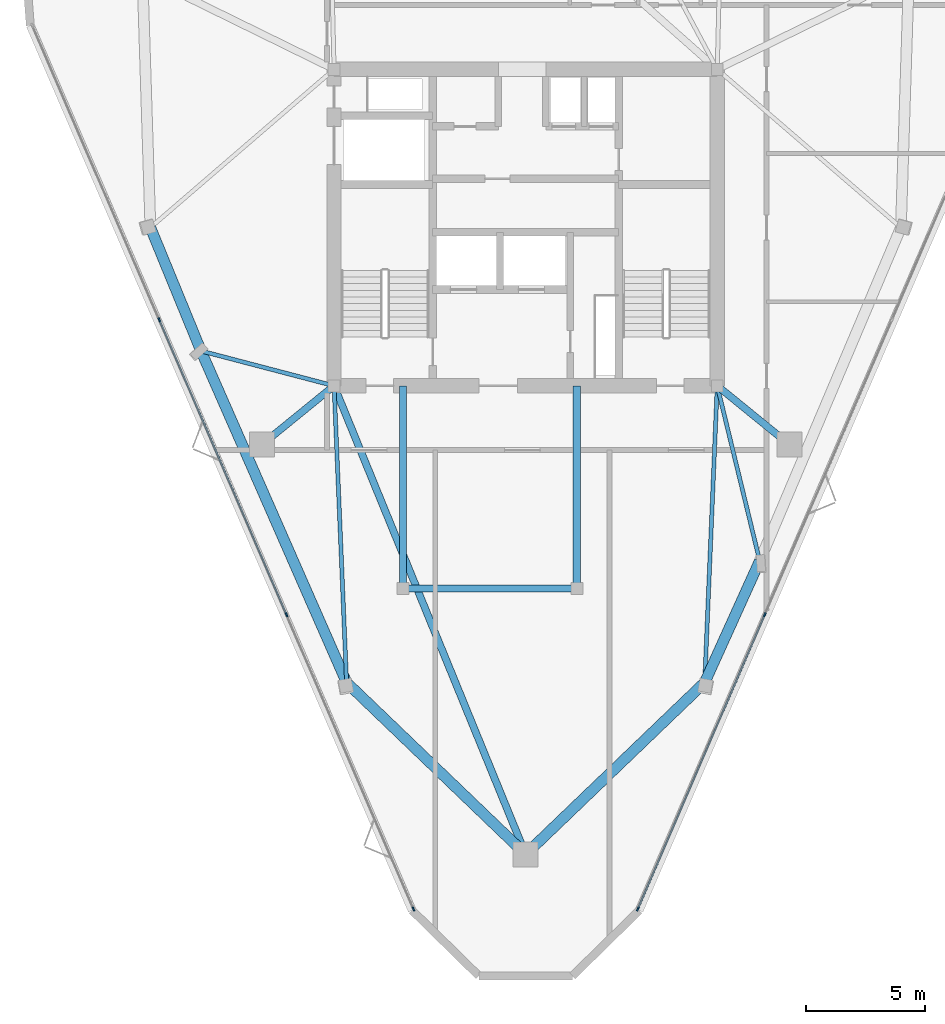
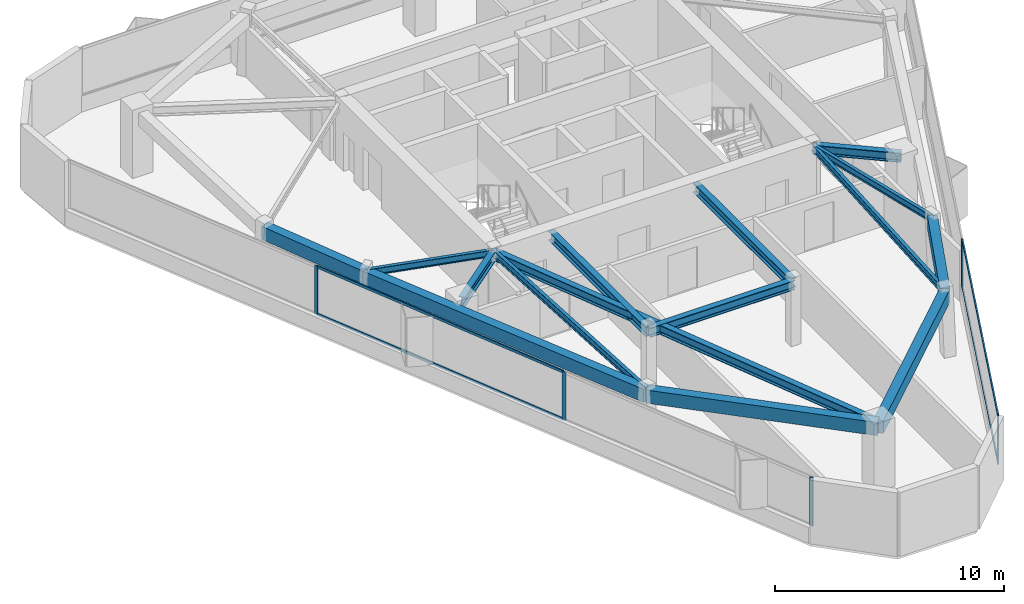
# One storey, part 2 of 9: 15 beams, 9 members, 2 elements without a shape of their own.
"""IFC4 building model written with IfcOpenShell, lengths in metres."""

from ifc_helpers import new_model, si_unit, direction, frame, origin, origin_2d, place, context, subcontext, project, spatial, rectangle, i_section, extrude, material, layer, layer_set, material_profile, profile_set, type_object, element, aggregate, save


model = new_model("IFC4")

# Units and contexts
model_context = context("Model", 3, precision=1e-05, world=origin(), true_north=direction((0.0, 1.0)))
body_context = subcontext(model_context, "Body", "Model", "MODEL_VIEW")
ifc_project = project(units=[si_unit("LENGTHUNIT", "METRE"), si_unit("AREAUNIT", "SQUARE_METRE"), si_unit("VOLUMEUNIT", "CUBIC_METRE"), si_unit("PLANEANGLEUNIT", "RADIAN"), si_unit("MASSUNIT", "GRAM", prefix="KILO")], contexts=[model_context])

# Site, building, storey
site_placement = place(None, origin())
site = spatial("IfcSite", under=ifc_project, at=site_placement, CompositionType="ELEMENT")
building_placement = place(site_placement, origin())
building = spatial("IfcBuilding", under=site, at=building_placement, Name="Talyreon Biosciences Tower", CompositionType="ELEMENT")
storey_placement = place(building_placement, frame((0.0, 0.0, 294.75)))
storey = spatial("IfcBuildingStorey", under=building, at=storey_placement, Name="L78", CompositionType="ELEMENT", Elevation=294.75)

# Curtain wall, members
ifc_material_1 = material(Name="Thermally broken aluminium and low-E glazing", Category="aluminium")
ifc_layer = layer(ifc_material_1, 0.175048828125)
ifc_layer_set = layer_set([ifc_layer], Name="Thermally broken aluminium and low-E glazing")
curtain_wall_type = type_object("IfcCurtainWallType", Name="CurtainWall_Zone5CompLab", PredefinedType="NOTDEFINED", material=ifc_layer_set)
curtain_wall_1_placement = place(storey_placement, origin())
curtain_wall_1 = element("IfcCurtainWall", 1, at=curtain_wall_1_placement, inside=storey, type_object=curtain_wall_type, Name="L78 Unitised Curtain Wall FCW-L78-00", PredefinedType="NOTDEFINED")
ifc_material_2 = material(Name="Anodised thermally broken aluminium", Category="aluminium")
ifc_material_profile_1 = material_profile(ifc_material_2, rectangle(XDim=0.06494140625, YDim=0.179931640625, at=origin_2d()), Name="ALUM MULLION 65x180")
ifc_profile_set_1 = profile_set([ifc_material_profile_1], Name="Anodised thermally broken aluminium")
member_type_1 = type_object("IfcMemberType", Name="CWMullion_65x180", PredefinedType="MULLION", material=ifc_profile_set_1)
member_1_placement = place(storey_placement, frame((61.2861328125, 39.369140625, 0.81005859375), z_axis=(0.0, 0.0, 1.0), x_axis=(-0.918187314575, -0.396146507437, 0.0)))
member_1 = element("IfcMember", 2, at=member_1_placement, type_object=member_type_1, Name="CW6 mullion 1", PredefinedType="MULLION", context=body_context, shape_type="SweptSolid", body=[
    extrude(rectangle(XDim=0.06494140625, YDim=0.179931640625, at=origin_2d()), origin(), (0.0, 0.0, 1.0), 2.58984375),
])
member_2_placement = place(storey_placement, frame((55.951416015625, 51.733642578125, 0.81005859375), z_axis=(0.0, 0.0, 1.0), x_axis=(-0.918187314575, -0.396146507437, 0.0)))
member_2 = element("IfcMember", 3, at=member_2_placement, type_object=member_type_1, Name="CW6 mullion 2", PredefinedType="MULLION", context=body_context, shape_type="SweptSolid", body=[
    extrude(rectangle(XDim=0.06494140625, YDim=0.179931640625, at=origin_2d()), origin(), (0.0, 0.0, 1.0), 2.58984375),
])
member_3_placement = place(storey_placement, frame((50.60400390625, 64.1279296875, 0.81005859375), z_axis=(0.0, 0.0, 1.0), x_axis=(-0.918187314575, -0.396146507437, 0.0)))
member_3 = element("IfcMember", 4, at=member_3_placement, type_object=member_type_1, Name="CW6 mullion 3", PredefinedType="MULLION", context=body_context, shape_type="SweptSolid", body=[
    extrude(rectangle(XDim=0.06494140625, YDim=0.179931640625, at=origin_2d()), origin(), (0.0, 0.0, 1.0), 2.58984375),
])

curtain_wall_2_placement = place(storey_placement, origin())
curtain_wall_2 = element("IfcCurtainWall", 5, at=curtain_wall_2_placement, inside=storey, type_object=curtain_wall_type, Name="L78 Unitised Curtain Wall FCW-L78-08", PredefinedType="NOTDEFINED")
member_4_placement = place(storey_placement, frame((76.048583984375, 51.733642578125, 0.81005859375), z_axis=(0.0, 0.0, 1.0), x_axis=(0.918187314575, -0.396146507437, 0.0)))
member_4 = element("IfcMember", 6, at=member_4_placement, type_object=member_type_1, Name="CW6 mullion 3", PredefinedType="MULLION", context=body_context, shape_type="SweptSolid", body=[
    extrude(rectangle(XDim=0.06494140625, YDim=0.179931640625, at=origin_2d()), origin(), (0.0, 0.0, 1.0), 2.58984375),
])
member_5_placement = place(storey_placement, frame((70.7138671875, 39.369140625, 0.81005859375), z_axis=(0.0, 0.0, 1.0), x_axis=(0.918187314575, -0.396146507437, 0.0)))
member_5 = element("IfcMember", 7, at=member_5_placement, type_object=member_type_1, Name="CW6 mullion 4", PredefinedType="MULLION", context=body_context, shape_type="SweptSolid", body=[
    extrude(rectangle(XDim=0.06494140625, YDim=0.179931640625, at=origin_2d()), origin(), (0.0, 0.0, 1.0), 2.58984375),
])

# Member
ifc_material_profile_2 = material_profile(ifc_material_2, rectangle(XDim=0.06494140625, YDim=0.139892578125, at=origin_2d()), Name="ALUM TRANSOM 65x140")
ifc_profile_set_2 = profile_set([ifc_material_profile_2], Name="Anodised thermally broken aluminium")
member_type_2 = type_object("IfcMemberType", Name="CWTransom_65x140", PredefinedType="USERDEFINED", material=ifc_profile_set_2)
member_6_placement = place(storey_placement, frame((55.9384765625, 51.763427734375, 0.842529296875), z_axis=(-0.396140083642, 0.918190086056, 0.0), x_axis=(-0.918190086056, -0.396140083642, 0.0)))
member_6 = element("IfcMember", 8, at=member_6_placement, type_object=member_type_2, Name="CW6 transom 2.1", ObjectType="TRANSOM", PredefinedType="USERDEFINED", context=body_context, shape_type="SweptSolid", body=[
    extrude(rectangle(XDim=0.06494140625, YDim=0.139892578125, at=origin_2d()), origin(), (0.0, 0.0, 1.0), 13.433349609375),
])

member_7_placement = place(storey_placement, frame((55.9384765625, 51.763427734375, 3.367431640625), z_axis=(-0.396140083642, 0.918190086056, 0.0), x_axis=(-0.918190086056, -0.396140083642, 0.0)))
member_7 = element("IfcMember", 9, at=member_7_placement, type_object=member_type_2, Name="CW6 transom 2.2", ObjectType="TRANSOM", PredefinedType="USERDEFINED", context=body_context, shape_type="SweptSolid", body=[
    extrude(rectangle(XDim=0.06494140625, YDim=0.139892578125, at=origin_2d()), origin(), (0.0, 0.0, 1.0), 13.433349609375),
])

aggregate(curtain_wall_1, [member_1, member_2, member_3, member_6, member_7])

member_8_placement = place(storey_placement, frame((76.03564453125, 51.70361328125, 0.842529296875), z_axis=(-0.39614983923, -0.918185877085, 0.0), x_axis=(0.918185877085, -0.39614983923, 0.0)))
member_8 = element("IfcMember", 10, at=member_8_placement, type_object=member_type_2, Name="CW6 transom 3.1", ObjectType="TRANSOM", PredefinedType="USERDEFINED", context=body_context, shape_type="SweptSolid", body=[
    extrude(rectangle(XDim=0.06494140625, YDim=0.139892578125, at=origin_2d()), origin(), (0.0, 0.0, 1.0), 13.401123046875),
])

member_9_placement = place(storey_placement, frame((76.03564453125, 51.70361328125, 3.367431640625), z_axis=(-0.39614983923, -0.918185877085, 0.0), x_axis=(0.918185877085, -0.39614983923, 0.0)))
member_9 = element("IfcMember", 11, at=member_9_placement, type_object=member_type_2, Name="CW6 transom 3.2", ObjectType="TRANSOM", PredefinedType="USERDEFINED", context=body_context, shape_type="SweptSolid", body=[
    extrude(rectangle(XDim=0.06494140625, YDim=0.139892578125, at=origin_2d()), origin(), (0.0, 0.0, 1.0), 13.401123046875),
])

aggregate(curtain_wall_2, [member_4, member_5, member_8, member_9])

# Beams
ifc_material_3 = material(Name="Precast concrete C45/55", Category="concrete")
ifc_material_profile_3 = material_profile(ifc_material_3, rectangle(XDim=0.449951171875, YDim=0.699951171875, at=origin_2d()), Name="RCB 450x700")
ifc_profile_set_3 = profile_set([ifc_material_profile_3], Name="Precast concrete C45/55")
beam_type_1 = type_object("IfcBeamType", Name="ExpressedSpandrel_450x700", PredefinedType="SPANDREL", material=ifc_profile_set_3)
beam_1_placement = place(storey_placement, frame((66.0, 41.6669921875, 3.050048828125), z_axis=(0.721566503071, 0.692345131885, 0.0), x_axis=(-0.692345131885, 0.721566503071, 0.0)))
element("IfcBeam", 12, at=beam_1_placement, inside=storey, type_object=beam_type_1, Name="L78 Expressed Horizontal Concrete Spandrel 01", PredefinedType="SPANDREL", context=body_context, shape_type="SweptSolid", body=[
    extrude(rectangle(XDim=0.449951171875, YDim=0.699951171875, at=origin_2d()), origin(), (0.0, 0.0, 1.0), 10.4267578125),
])
for number, where, z_axis, x_axis, name in (
    (13, (73.523681640625, 48.885986328125, 3.050048828125), (0.412352071795, 0.911024570956, 0.0), (-0.911024570956, 0.412352071795, 0.0), "L78 Expressed Horizontal Concrete Spandrel 02"),
    (14, (50.232177734375, 68.001708984375, 3.050048828125), (0.37955348875, -0.925169794782, 0.0), (0.925169794782, 0.37955348875, 0.0), "L78 Expressed Horizontal Concrete Spandrel 10"),
):
    element("IfcBeam", number, at=place(storey_placement, frame(where, z_axis=z_axis, x_axis=x_axis)), inside=storey, type_object=beam_type_1, Name=name, PredefinedType="SPANDREL", context=body_context, shape_type="SweptSolid", body=[
        extrude(rectangle(XDim=0.449951171875, YDim=0.699951171875, at=origin_2d()), origin(), (0.0, 0.0, 1.0), 5.605712890625),
    ])
beam_2_placement = place(storey_placement, frame((52.35986328125, 62.8154296875, 3.050048828125), z_axis=(0.402036660995, -0.915623570697, 0.0), x_axis=(0.915623570697, 0.402036660995, 0.0)))
element("IfcBeam", 15, at=beam_2_placement, inside=storey, type_object=beam_type_1, Name="L78 Expressed Horizontal Concrete Spandrel 11", PredefinedType="SPANDREL", context=body_context, shape_type="SweptSolid", body=[
    extrude(rectangle(XDim=0.449951171875, YDim=0.699951171875, at=origin_2d()), origin(), (0.0, 0.0, 1.0), 15.213134765625),
])
beam_3_placement = place(storey_placement, frame((58.47607421875, 48.885986328125, 3.050048828125), z_axis=(0.721577726364, -0.692333434709, 0.0), x_axis=(0.692333434709, 0.721577726364, 0.0)))
element("IfcBeam", 16, at=beam_3_placement, inside=storey, type_object=beam_type_1, Name="L78 Expressed Horizontal Concrete Spandrel 12", PredefinedType="SPANDREL", context=body_context, shape_type="SweptSolid", body=[
    extrude(rectangle(XDim=0.449951171875, YDim=0.699951171875, at=origin_2d()), origin(), (0.0, 0.0, 1.0), 10.427001953125),
])
ifc_material_4 = material(Name="Steel SM355", Category="steel")
ifc_material_profile_4 = material_profile(ifc_material_4, i_section(OverallWidth=0.300048828125, OverallDepth=0.5, WebThickness=0.014404296875, FlangeThickness=0.028076171875, FilletRadius=0.027099609375, at=origin_2d()), Name="HE500B")
ifc_profile_set_4 = profile_set([ifc_material_profile_4], Name="Steel SM355")
beam_type_2 = type_object("IfcBeamType", Name="SteelBeam_HE500B", PredefinedType="BEAM", material=ifc_profile_set_4)
beam_4_placement = place(storey_placement, frame((57.949951171875, 61.35009765625, 3.14990234375), z_axis=(0.378547014545, -0.925582064314, 0.0), x_axis=(0.925582064314, 0.378547014545, 0.0)))
element("IfcBeam", 17, at=beam_4_placement, inside=storey, type_object=beam_type_2, Name="L78 Radial Primary Girder 1", PredefinedType="BEAM", context=body_context, shape_type="SweptSolid", body=[
    extrude(i_section(OverallWidth=0.300048828125, OverallDepth=0.5, WebThickness=0.014404296875, FlangeThickness=0.028076171875, FilletRadius=0.027099609375, at=origin_2d()), origin(), (0.0, 0.0, 1.0), 21.265625),
])
for number, where, z_axis, x_axis, name in (
    (18, (74.050048828125, 61.35009765625, 3.14990234375), (0.775755154013, -0.631034025249, 0.0), (0.631034025249, 0.775755154013, 0.0), "L78 Radial Primary Girder 2"),
    (19, (57.949951171875, 61.35009765625, 3.14990234375), (-0.775755154013, -0.631034025249, 0.0), (0.631034025249, -0.775755154013, 0.0), "L78 Radial Primary Girder 6"),
):
    element("IfcBeam", number, at=place(storey_placement, frame(where, z_axis=z_axis, x_axis=x_axis)), inside=storey, type_object=beam_type_2, Name=name, PredefinedType="BEAM", context=body_context, shape_type="SweptSolid", body=[
        extrude(i_section(OverallWidth=0.300048828125, OverallDepth=0.5, WebThickness=0.014404296875, FlangeThickness=0.028076171875, FilletRadius=0.027099609375, at=origin_2d()), origin(), (0.0, 0.0, 1.0), 3.913818359375),
    ])
beam_5_placement = place(storey_placement, frame((60.85009765625, 52.840087890625, 3.14990234375), z_axis=(1.0, 0.0, 0.0), x_axis=(0.0, 1.0, 0.0)))
element("IfcBeam", 20, at=beam_5_placement, inside=storey, type_object=beam_type_2, Name="L78 Crown Shaft Spine Girder S", PredefinedType="BEAM", context=body_context, shape_type="SweptSolid", body=[
    extrude(i_section(OverallWidth=0.300048828125, OverallDepth=0.5, WebThickness=0.014404296875, FlangeThickness=0.028076171875, FilletRadius=0.027099609375, at=origin_2d()), origin(), (0.0, 0.0, 1.0), 7.2998046875),
])
for number, where, z_axis, x_axis, name in (
    (21, (60.85009765625, 52.840087890625, 3.14990234375), (0.0, 1.0, 0.0), (-1.0, 0.0, 0.0), "L78 Crown Shaft Tie Girder W"),
    (22, (68.14990234375, 52.840087890625, 3.14990234375), (0.0, 1.0, 0.0), (-1.0, 0.0, 0.0), "L78 Crown Shaft Tie Girder E"),
):
    element("IfcBeam", number, at=place(storey_placement, frame(where, z_axis=z_axis, x_axis=x_axis)), inside=storey, type_object=beam_type_2, Name=name, PredefinedType="BEAM", context=body_context, shape_type="SweptSolid", body=[
        extrude(i_section(OverallWidth=0.300048828125, OverallDepth=0.5, WebThickness=0.014404296875, FlangeThickness=0.028076171875, FilletRadius=0.027099609375, at=origin_2d()), origin(), (0.0, 0.0, 1.0), 8.510009765625),
    ])
ifc_material_profile_5 = material_profile(ifc_material_4, i_section(OverallWidth=0.169921875, OverallDepth=0.360107421875, WebThickness=0.008056640625, FlangeThickness=0.0126953125, FilletRadius=0.01806640625, at=origin_2d()), Name="IPE360")
ifc_profile_set_5 = profile_set([ifc_material_profile_5], Name="Steel SM355")
beam_type_3 = type_object("IfcBeamType", Name="SteelJoist_IPE360", PredefinedType="JOIST", material=ifc_profile_set_5)
beam_6_placement = place(storey_placement, frame((74.050048828125, 61.35009765625, 3.219970703125), z_axis=(-0.042193015787, -0.999109478195, 0.0), x_axis=(0.999109478195, -0.042193015787, 0.0)))
element("IfcBeam", 23, at=beam_6_placement, inside=storey, type_object=beam_type_3, Name="L78 Radial Composite Floor Joist PC-SE1", PredefinedType="JOIST", context=body_context, shape_type="SweptSolid", body=[
    extrude(i_section(OverallWidth=0.169921875, OverallDepth=0.360107421875, WebThickness=0.008056640625, FlangeThickness=0.0126953125, FilletRadius=0.01806640625, at=origin_2d()), origin(), (0.0, 0.0, 1.0), 12.475341796875),
])
beam_7_placement = place(storey_placement, frame((74.050048828125, 61.35009765625, 3.219970703125), z_axis=(0.235799383805, -0.971801754782, 0.0), x_axis=(0.971801754782, 0.235799383805, 0.0)))
element("IfcBeam", 24, at=beam_7_placement, inside=storey, type_object=beam_type_3, Name="L78 Radial Composite Floor Joist PL-SE", PredefinedType="JOIST", context=body_context, shape_type="SweptSolid", body=[
    extrude(i_section(OverallWidth=0.169921875, OverallDepth=0.360107421875, WebThickness=0.008056640625, FlangeThickness=0.0126953125, FilletRadius=0.01806640625, at=origin_2d()), origin(), (0.0, 0.0, 1.0), 7.570556640625),
])
beam_8_placement = place(storey_placement, frame((57.949951171875, 61.35009765625, 3.219970703125), z_axis=(-0.96731870449, 0.253563648703, 0.0), x_axis=(-0.253563648703, -0.96731870449, 0.0)))
element("IfcBeam", 25, at=beam_8_placement, inside=storey, type_object=beam_type_3, Name="L78 Radial Composite Floor Joist PL-SW", PredefinedType="JOIST", context=body_context, shape_type="SweptSolid", body=[
    extrude(i_section(OverallWidth=0.169921875, OverallDepth=0.360107421875, WebThickness=0.008056640625, FlangeThickness=0.0126953125, FilletRadius=0.01806640625, at=origin_2d()), origin(), (0.0, 0.0, 1.0), 5.779052734375),
])
beam_9_placement = place(storey_placement, frame((57.949951171875, 61.35009765625, 3.219970703125), z_axis=(0.042173480558, -0.999110302988, 0.0), x_axis=(0.999110302988, 0.042173480558, 0.0)))
element("IfcBeam", 26, at=beam_9_placement, inside=storey, type_object=beam_type_3, Name="L78 Radial Composite Floor Joist PC-SW2", PredefinedType="JOIST", context=body_context, shape_type="SweptSolid", body=[
    extrude(i_section(OverallWidth=0.169921875, OverallDepth=0.360107421875, WebThickness=0.008056640625, FlangeThickness=0.0126953125, FilletRadius=0.01806640625, at=origin_2d()), origin(), (0.0, 0.0, 1.0), 12.47509765625),
])

save(model, "model.ifc")
